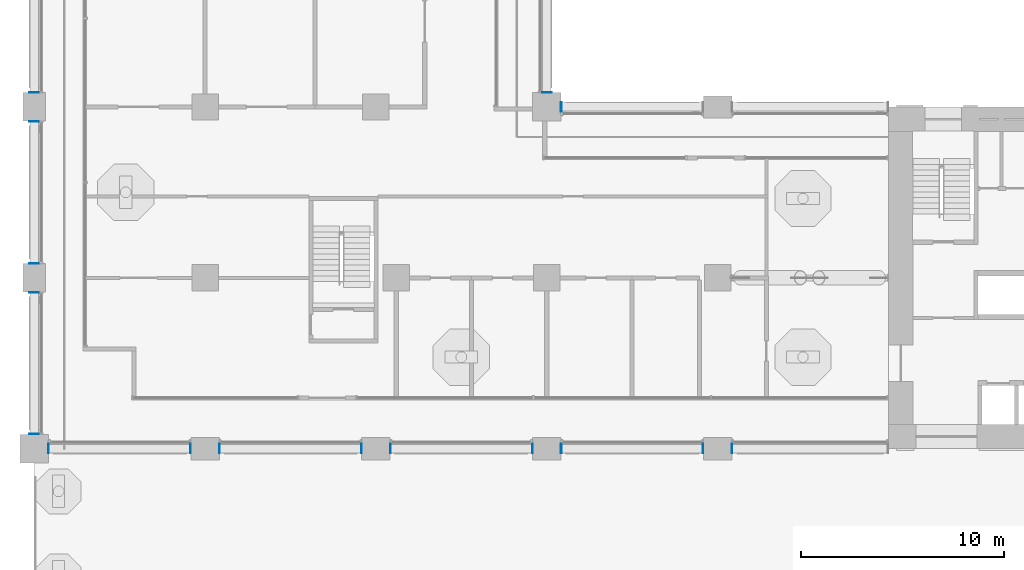
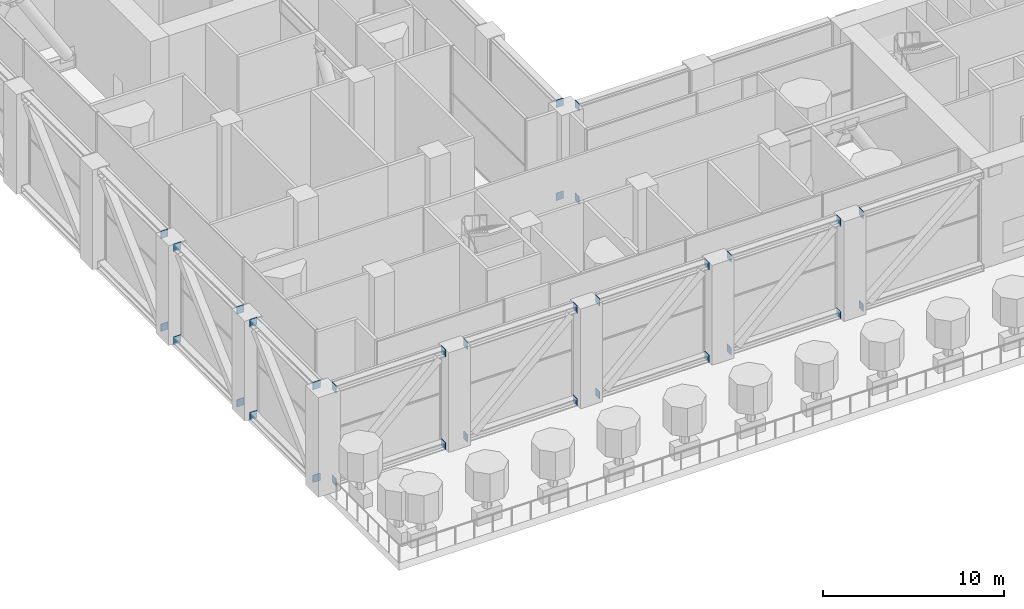
# One storey, part 19 of 28: 32 discrete accessories.
"""IFC4 building model written with IfcOpenShell, lengths in metres."""

from ifc_helpers import new_model, si_unit, direction, frame, origin, origin_2d, place, context, subcontext, project, spatial, rectangle, extrude, element, save


model = new_model("IFC4")

# Units and contexts
model_context = context("Model", 3, precision=1e-05, world=origin(), true_north=direction((0.0, 1.0)))
body_context = subcontext(model_context, "Body", "Model", "MODEL_VIEW")
ifc_project = project(units=[si_unit("LENGTHUNIT", "METRE"), si_unit("AREAUNIT", "SQUARE_METRE"), si_unit("VOLUMEUNIT", "CUBIC_METRE"), si_unit("PLANEANGLEUNIT", "RADIAN"), si_unit("MASSUNIT", "GRAM", prefix="KILO")], contexts=[model_context])

# Site, building, storey
site_placement = place(None, origin())
site = spatial("IfcSite", under=ifc_project, at=site_placement, CompositionType="ELEMENT")
building_placement = place(site_placement, origin())
building = spatial("IfcBuilding", under=site, at=building_placement, Name="Vermilion Gate Residences", CompositionType="ELEMENT")
storey_placement = place(building_placement, frame((0.0, 0.0, 74.199951171875)))
storey = spatial("IfcBuildingStorey", under=building, at=storey_placement, Name="L18", CompositionType="ELEMENT", Elevation=74.199951171875)

# Discrete accessories
for number, where, z_axis, x_axis, name in (
    (1, (0.71240234375, 8.39990234375, -0.02490234375), (0.0, 0.0, 1.0), (1.0, 0.0, 0.0), "End plate B18BELT1B 1"),
    (2, (7.6875, 8.39990234375, -0.02490234375), (0.0, 0.0, 1.0), (1.0, 0.0, 0.0), "End plate B18BELT1B 2"),
    (3, (0.71240234375, 8.39990234375, 6.23681640625), (0.0, 0.0, 1.0), (1.0, 0.0, 0.0), "End plate B18BELT1T 1"),
    (4, (7.6875, 8.39990234375, 6.23681640625), (0.0, 0.0, 1.0), (1.0, 0.0, 0.0), "End plate B18BELT1T 2"),
):
    element("IfcDiscreteAccessory", number, at=place(storey_placement, frame(where, z_axis=z_axis, x_axis=x_axis)), inside=storey, Name=name, ObjectType="END PLATE", PredefinedType="USERDEFINED", context=body_context, shape_type="SweptSolid", body=[
        extrude(rectangle(XDim=0.02490234375, YDim=0.467041015625, at=origin_2d()), origin(), (0.0, 0.0, 1.0), 0.508056640625),
    ])
for number, where, z_axis, x_axis, name in (
    (5, (0.0, 9.112548828125, -0.02490234375), (0.0, 0.0, 1.0), (1.0, 0.0, 0.0), "End plate B18BELT2B 1"),
    (6, (0.0, 16.08740234375, -0.02490234375), (0.0, 0.0, 1.0), (1.0, 0.0, 0.0), "End plate B18BELT2B 2"),
    (7, (0.0, 9.112548828125, 6.23681640625), (0.0, 0.0, 1.0), (1.0, 0.0, 0.0), "End plate B18BELT2T 1"),
    (8, (0.0, 16.08740234375, 6.23681640625), (0.0, 0.0, 1.0), (1.0, 0.0, 0.0), "End plate B18BELT2T 2"),
    (9, (0.0, 17.512451171875, -0.02490234375), (0.0, 0.0, 1.0), (1.0, 0.0, 0.0), "End plate B18BELT3B 1"),
    (10, (0.0, 24.487548828125, -0.02490234375), (0.0, 0.0, 1.0), (1.0, 0.0, 0.0), "End plate B18BELT3B 2"),
    (11, (0.0, 17.512451171875, 6.23681640625), (0.0, 0.0, 1.0), (1.0, 0.0, 0.0), "End plate B18BELT3T 1"),
    (12, (0.0, 24.487548828125, 6.23681640625), (0.0, 0.0, 1.0), (1.0, 0.0, 0.0), "End plate B18BELT3T 2"),
    (13, (0.0, 25.91259765625, -0.02490234375), (0.0, 0.0, 1.0), (1.0, 0.0, 0.0), "End plate B18BELT4B 1"),
    (14, (0.0, 25.91259765625, 6.23681640625), (0.0, 0.0, 1.0), (1.0, 0.0, 0.0), "End plate B18BELT4T 1"),
):
    element("IfcDiscreteAccessory", number, at=place(storey_placement, frame(where, z_axis=z_axis, x_axis=x_axis)), inside=storey, Name=name, ObjectType="END PLATE", PredefinedType="USERDEFINED", context=body_context, shape_type="SweptSolid", body=[
        extrude(rectangle(XDim=0.467041015625, YDim=0.02490234375, at=origin_2d()), origin(), (0.0, 0.0, 1.0), 0.508056640625),
    ])
for number, where, z_axis, x_axis, name in (
    (15, (9.112548828125, 8.39990234375, -0.02490234375), (0.0, 0.0, 1.0), (1.0, 0.0, 0.0), "End plate B18BELT9B 1"),
    (16, (16.08740234375, 8.39990234375, -0.02490234375), (0.0, 0.0, 1.0), (1.0, 0.0, 0.0), "End plate B18BELT9B 2"),
    (17, (9.112548828125, 8.39990234375, 6.23681640625), (0.0, 0.0, 1.0), (1.0, 0.0, 0.0), "End plate B18BELT9T 1"),
    (18, (16.08740234375, 8.39990234375, 6.23681640625), (0.0, 0.0, 1.0), (1.0, 0.0, 0.0), "End plate B18BELT9T 2"),
    (19, (17.512451171875, 8.39990234375, -0.02490234375), (0.0, 0.0, 1.0), (1.0, 0.0, 0.0), "End plate B18BELT10B 1"),
    (20, (24.487548828125, 8.39990234375, -0.02490234375), (0.0, 0.0, 1.0), (1.0, 0.0, 0.0), "End plate B18BELT10B 2"),
    (21, (17.512451171875, 8.39990234375, 6.23681640625), (0.0, 0.0, 1.0), (1.0, 0.0, 0.0), "End plate B18BELT10T 1"),
    (22, (24.487548828125, 8.39990234375, 6.23681640625), (0.0, 0.0, 1.0), (1.0, 0.0, 0.0), "End plate B18BELT10T 2"),
):
    element("IfcDiscreteAccessory", number, at=place(storey_placement, frame(where, z_axis=z_axis, x_axis=x_axis)), inside=storey, Name=name, ObjectType="END PLATE", PredefinedType="USERDEFINED", context=body_context, shape_type="SweptSolid", body=[
        extrude(rectangle(XDim=0.02490234375, YDim=0.467041015625, at=origin_2d()), origin(), (0.0, 0.0, 1.0), 0.508056640625),
    ])
for number, where, z_axis, x_axis, name in (
    (23, (25.199951171875, 25.91259765625, -0.02490234375), (0.0, 0.0, 1.0), (1.0, 0.0, 0.0), "End plate B18BELT11B 1"),
    (24, (25.199951171875, 25.91259765625, 6.23681640625), (0.0, 0.0, 1.0), (1.0, 0.0, 0.0), "End plate B18BELT11T 1"),
):
    element("IfcDiscreteAccessory", number, at=place(storey_placement, frame(where, z_axis=z_axis, x_axis=x_axis)), inside=storey, Name=name, ObjectType="END PLATE", PredefinedType="USERDEFINED", context=body_context, shape_type="SweptSolid", body=[
        extrude(rectangle(XDim=0.467041015625, YDim=0.02490234375, at=origin_2d()), origin(), (0.0, 0.0, 1.0), 0.508056640625),
    ])
for number, where, z_axis, x_axis, name in (
    (25, (25.91259765625, 8.39990234375, -0.02490234375), (0.0, 0.0, 1.0), (1.0, 0.0, 0.0), "End plate B18BELT13B 1"),
    (26, (32.887451171875, 8.39990234375, -0.02490234375), (0.0, 0.0, 1.0), (1.0, 0.0, 0.0), "End plate B18BELT13B 2"),
    (27, (25.91259765625, 8.39990234375, 6.23681640625), (0.0, 0.0, 1.0), (1.0, 0.0, 0.0), "End plate B18BELT13T 1"),
    (28, (32.887451171875, 8.39990234375, 6.23681640625), (0.0, 0.0, 1.0), (1.0, 0.0, 0.0), "End plate B18BELT13T 2"),
    (29, (25.91259765625, 25.199951171875, -0.02490234375), (0.0, 0.0, 1.0), (1.0, 0.0, 0.0), "End plate B18BELT14B 1"),
    (30, (25.91259765625, 25.199951171875, 6.23681640625), (0.0, 0.0, 1.0), (1.0, 0.0, 0.0), "End plate B18BELT14T 1"),
    (31, (34.3125, 8.39990234375, -0.02490234375), (0.0, 0.0, 1.0), (1.0, 0.0, 0.0), "End plate B18BELT15B 1"),
    (32, (34.3125, 8.39990234375, 6.23681640625), (0.0, 0.0, 1.0), (1.0, 0.0, 0.0), "End plate B18BELT15T 1"),
):
    element("IfcDiscreteAccessory", number, at=place(storey_placement, frame(where, z_axis=z_axis, x_axis=x_axis)), inside=storey, Name=name, ObjectType="END PLATE", PredefinedType="USERDEFINED", context=body_context, shape_type="SweptSolid", body=[
        extrude(rectangle(XDim=0.02490234375, YDim=0.467041015625, at=origin_2d()), origin(), (0.0, 0.0, 1.0), 0.508056640625),
    ])

save(model, "model.ifc")
